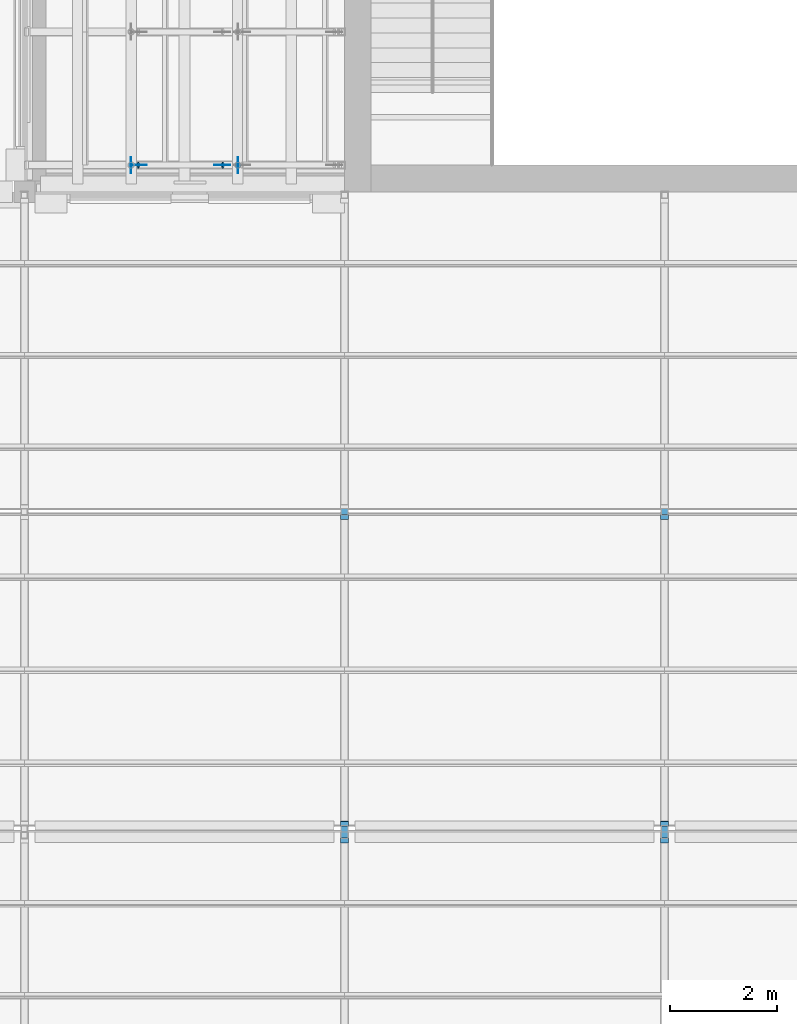
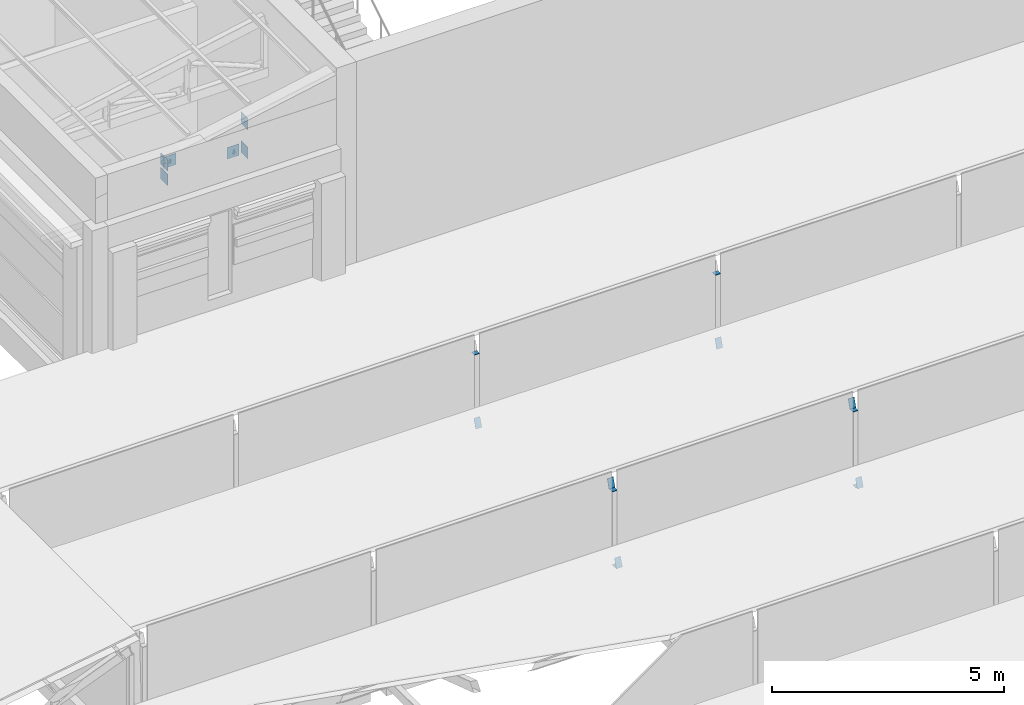
# One storey, part 84 of 118: 22 discrete accessories.
"""IFC4 building model written with IfcOpenShell, lengths in metres."""

from ifc_helpers import new_model, si_unit, direction, frame, origin, origin_2d, place, context, subcontext, project, spatial, rectangle, circle, extrude, material, material_profile, profile_set, type_object, element, save


model = new_model("IFC4")

# Units and contexts
model_context = context("Model", 3, precision=1e-05, world=origin(), true_north=direction((0.0, 1.0)))
body_context = subcontext(model_context, "Body", "Model", "MODEL_VIEW")
ifc_project = project(units=[si_unit("LENGTHUNIT", "METRE"), si_unit("AREAUNIT", "SQUARE_METRE"), si_unit("VOLUMEUNIT", "CUBIC_METRE"), si_unit("PLANEANGLEUNIT", "RADIAN"), si_unit("MASSUNIT", "GRAM", prefix="KILO")], contexts=[model_context])

# Site, building, storey
site_placement = place(None, origin())
site = spatial("IfcSite", under=ifc_project, at=site_placement, CompositionType="ELEMENT")
building_placement = place(site_placement, origin())
building = spatial("IfcBuilding", under=site, at=building_placement, Name="Saffron Lane Theatres", CompositionType="ELEMENT")
storey_placement = place(building_placement, frame((0.0, 0.0, 16.5)))
storey = spatial("IfcBuildingStorey", under=building, at=storey_placement, Name="L03", CompositionType="ELEMENT", Elevation=16.5)

# Discrete accessories
ifc_material_1 = material(Name="Steel Grade 350", Category="steel")
ifc_material_profile_1 = material_profile(ifc_material_1, rectangle(XDim=0.300048828125, YDim=0.300048828125, at=origin_2d()))
ifc_profile_set_1 = profile_set([ifc_material_profile_1], Name="Steel Grade 350")
discrete_accessory_type_1 = type_object("IfcDiscreteAccessoryType", Name="ST-GUSSET CONNECTION PLATE", PredefinedType="BRACKET", material=ifc_profile_set_1)
for number, where, z_axis, x_axis, name in (
    (1, (13.9951171875, 30.5, 4.75), (1.0, 0.0, 0.0), (0.0, 1.0, 0.0), "GB329"),
    (2, (13.9951171875, 30.5, 5.127197265625), (1.0, 0.0, 0.0), (0.0, 1.0, 0.0), "GB330"),
    (3, (15.9951171875, 30.5, 4.75), (1.0, 0.0, 0.0), (0.0, 1.0, 0.0), "GB331"),
    (4, (15.9951171875, 30.5, 5.515625), (1.0, 0.0, 0.0), (0.0, 1.0, 0.0), "GB332"),
    (5, (15.711181640625, 30.4951171875, 4.80615234375), (0.0, 1.0, 0.0), (-1.0, 0.0, 0.0), "GB335"),
    (6, (14.138916015625, 30.4951171875, 5.111328125), (0.0, 1.0, 0.0), (-1.0, 0.0, 0.0), "GB336"),
):
    element("IfcDiscreteAccessory", number, at=place(storey_placement, frame(where, z_axis=z_axis, x_axis=x_axis)), inside=storey, type_object=discrete_accessory_type_1, Name=name, PredefinedType="BRACKET", context=body_context, shape_type="SweptSolid", body=[
        extrude(rectangle(XDim=0.300048828125, YDim=0.300048828125, at=origin_2d()), origin(), (0.0, 0.0, 1.0), 0.009765625),
    ])
ifc_material_2 = material(Name="Steel Grade 350", Category="steel")
ifc_material_profile_2 = material_profile(ifc_material_2, circle(Radius=0.05712890625, at=origin_2d()))
ifc_profile_set_2 = profile_set([ifc_material_profile_2], Name="Steel Grade 350")
discrete_accessory_type_2 = type_object("IfcDiscreteAccessoryType", Name="ST-STEEL END CAP 114.3x6.0 CHS", PredefinedType="ANCHORPLATE", material=ifc_profile_set_2)
discrete_accessory_1_placement = place(storey_placement, frame((14.0, 30.5, 5.127197265625), z_axis=(0.0, 0.0, 1.0), x_axis=(1.0, 0.0, 0.0)))
element("IfcDiscreteAccessory", 7, at=discrete_accessory_1_placement, inside=storey, type_object=discrete_accessory_type_2, Name="EC456", PredefinedType="ANCHORPLATE", context=body_context, shape_type="SweptSolid", body=[
    extrude(circle(Radius=0.05712890625, at=origin_2d()), origin(), (0.0, 0.0, 1.0), 0.01220703125),
])
for number, where, z_axis, x_axis, name in (
    (8, (16.0, 30.5, 5.515625), (0.0, 0.0, 1.0), (1.0, 0.0, 0.0), "EC457"),
    (9, (15.722900390625, 30.5, 4.8037109375), (-0.978980419738, 0.0, 0.203954254112), (0.0, -1.0, 0.0), "EC460"),
    (10, (14.138916015625, 30.5, 5.111328125), (-0.978980419738, 0.0, 0.203954254112), (0.0, -1.0, 0.0), "EC461"),
):
    element("IfcDiscreteAccessory", number, at=place(storey_placement, frame(where, z_axis=z_axis, x_axis=x_axis)), inside=storey, type_object=discrete_accessory_type_2, Name=name, PredefinedType="ANCHORPLATE", context=body_context, shape_type="SweptSolid", body=[
        extrude(circle(Radius=0.05712890625, at=origin_2d()), origin(), (0.0, 0.0, 1.0), 0.011962890625),
    ])
ifc_material_3 = material(Name="Steel Grade 350", Category="steel")
ifc_material_profile_3 = material_profile(ifc_material_3, rectangle(XDim=0.125, YDim=0.125, at=origin_2d()))
ifc_profile_set_3 = profile_set([ifc_material_profile_3], Name="Steel Grade 350")
discrete_accessory_type_3 = type_object("IfcDiscreteAccessoryType", Name="ST-STEEL END CAP 125x125x6 SHS", PredefinedType="ANCHORPLATE", material=ifc_profile_set_3)
for number, where, z_axis, x_axis, name in (
    (11, (18.0, 17.9375, 0.720703125), (0.0, 0.0, 1.0), (1.0, 0.0, 0.0), "EC181"),
    (12, (24.0, 17.9375, 0.720703125), (0.0, 0.0, 1.0), (1.0, 0.0, 0.0), "EC192"),
    (13, (18.0, 18.0625, 2.638671875), (0.0, 0.0, 1.0), (1.0, 0.0, 0.0), "EC224"),
    (14, (18.0, 24.0, 2.638671875), (0.0, 0.0, 1.0), (1.0, 0.0, 0.0), "EC227"),
    (15, (24.0, 18.0625, 2.638671875), (0.0, 0.0, 1.0), (1.0, 0.0, 0.0), "EC232"),
    (16, (24.0, 24.0, 2.638671875), (0.0, 0.0, 1.0), (1.0, 0.0, 0.0), "EC235"),
):
    element("IfcDiscreteAccessory", number, at=place(storey_placement, frame(where, z_axis=z_axis, x_axis=x_axis)), inside=storey, type_object=discrete_accessory_type_3, Name=name, PredefinedType="ANCHORPLATE", context=body_context, shape_type="SweptSolid", body=[
        extrude(rectangle(XDim=0.125, YDim=0.125, at=origin_2d()), origin(), (0.0, 0.0, 1.0), 0.011962890625),
    ])
ifc_material_4 = material(Name="Steel Grade 350", Category="steel")
ifc_material_profile_4 = material_profile(ifc_material_4, rectangle(XDim=0.14990234375, YDim=0.25, at=origin_2d()))
ifc_profile_set_4 = profile_set([ifc_material_profile_4], Name="Steel Grade 350")
discrete_accessory_type_4 = type_object("IfcDiscreteAccessoryType", Name="ST-STEEL END CAP 250x150x9 RHS", PredefinedType="ANCHORPLATE", material=ifc_profile_set_4)
for number, where, z_axis, x_axis, name in (
    (17, (18.0, 17.8359375, 0.865234375), (0.0, 0.944496796706, -0.328520624941), (-1.0, 0.0, 0.0), "EC183"),
    (18, (24.0, 17.8359375, 0.865234375), (0.0, 0.944496796706, -0.328520624941), (-1.0, 0.0, 0.0), "EC194"),
):
    element("IfcDiscreteAccessory", number, at=place(storey_placement, frame(where, z_axis=z_axis, x_axis=x_axis)), inside=storey, type_object=discrete_accessory_type_4, Name=name, PredefinedType="ANCHORPLATE", context=body_context, shape_type="SweptSolid", body=[
        extrude(rectangle(XDim=0.14990234375, YDim=0.25, at=origin_2d()), origin(), (0.0, 0.0, 1.0), 0.011962890625),
    ])
discrete_accessory_2_placement = place(storey_placement, frame((18.0, 18.15283203125, 2.76123046875), z_axis=(0.0, 0.950729839481, -0.310020599831), x_axis=(-1.0, 0.0, 0.0)))
element("IfcDiscreteAccessory", 19, at=discrete_accessory_2_placement, inside=storey, type_object=discrete_accessory_type_4, Name="EC225", PredefinedType="ANCHORPLATE", context=body_context, shape_type="SweptSolid", body=[
    extrude(rectangle(XDim=0.14990234375, YDim=0.25, at=origin_2d()), origin(), (0.0, 0.0, 1.0), 0.01171875),
])
discrete_accessory_3_placement = place(storey_placement, frame((18.0, 23.8984375, 0.865234375), z_axis=(0.0, 0.944496796706, -0.328520624941), x_axis=(-1.0, 0.0, 0.0)))
element("IfcDiscreteAccessory", 20, at=discrete_accessory_3_placement, inside=storey, type_object=discrete_accessory_type_4, Name="EC226", PredefinedType="ANCHORPLATE", context=body_context, shape_type="SweptSolid", body=[
    extrude(rectangle(XDim=0.14990234375, YDim=0.25, at=origin_2d()), origin(), (0.0, 0.0, 1.0), 0.011962890625),
])
discrete_accessory_4_placement = place(storey_placement, frame((24.0, 18.15283203125, 2.76123046875), z_axis=(0.0, 0.950729839481, -0.310020599831), x_axis=(-1.0, 0.0, 0.0)))
element("IfcDiscreteAccessory", 21, at=discrete_accessory_4_placement, inside=storey, type_object=discrete_accessory_type_4, Name="EC233", PredefinedType="ANCHORPLATE", context=body_context, shape_type="SweptSolid", body=[
    extrude(rectangle(XDim=0.14990234375, YDim=0.25, at=origin_2d()), origin(), (0.0, 0.0, 1.0), 0.01171875),
])
discrete_accessory_5_placement = place(storey_placement, frame((24.0, 23.8984375, 0.865234375), z_axis=(0.0, 0.944496796706, -0.328520624941), x_axis=(-1.0, 0.0, 0.0)))
element("IfcDiscreteAccessory", 22, at=discrete_accessory_5_placement, inside=storey, type_object=discrete_accessory_type_4, Name="EC234", PredefinedType="ANCHORPLATE", context=body_context, shape_type="SweptSolid", body=[
    extrude(rectangle(XDim=0.14990234375, YDim=0.25, at=origin_2d()), origin(), (0.0, 0.0, 1.0), 0.011962890625),
])

save(model, "model.ifc")
